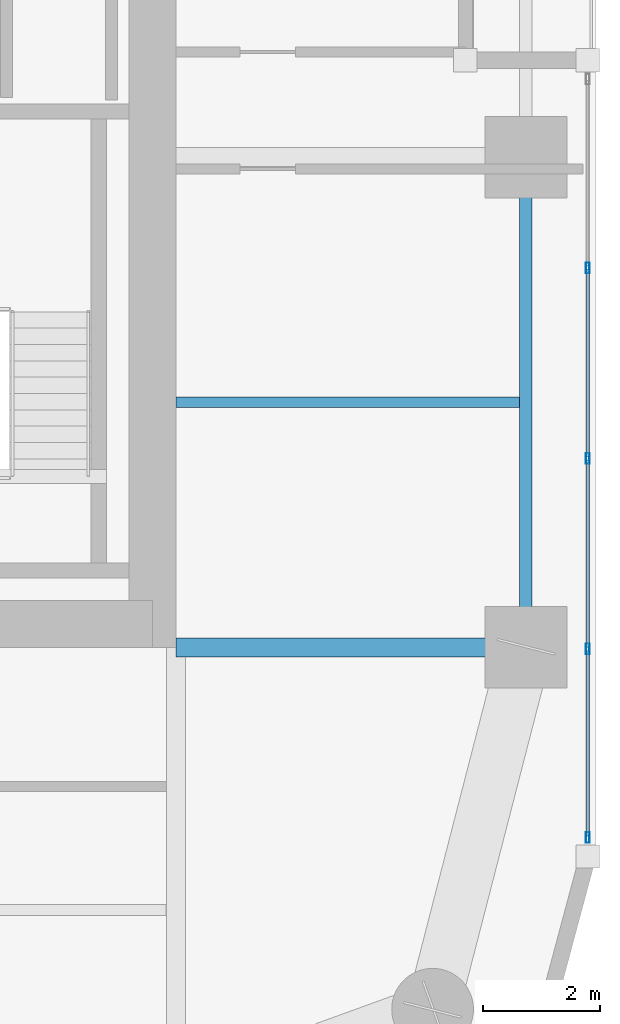
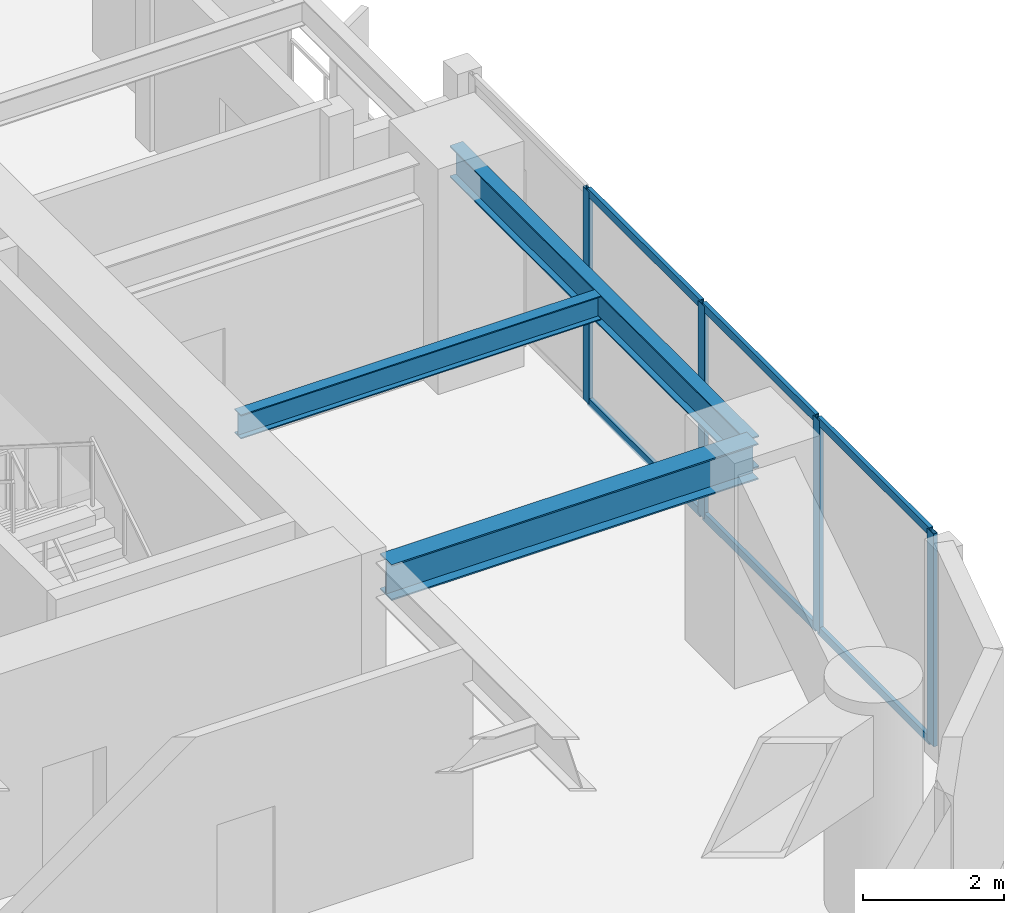
# One storey, part 9 of 31: 10 members, 3 beams, 1 element without a shape of its own.
"""IFC4 building model written with IfcOpenShell, lengths in metres."""

import ifcopenshell
import ifcopenshell.guid

model = None  # the IFC model being written
_history = None  # IfcOwnerHistory: only IFC2X3 demands one
_inside = {}  # id of a spatial element -> (the spatial element, [elements in it])
_under = {}  # id of a project, library or spatial element -> (it, [spatial elements below it])
_declared = {}  # id of a project -> (the project, [libraries it declares])
_typed = {}  # id of a type object -> (the type object, [elements of that type])
_made_of = {}  # id of a material, layer set ... -> (it, [elements and type objects made of it])


def new_model(schema):
    """Start an empty IFC model of exactly this schema.

    Asked for "IFC4X3", IfcOpenShell would pick the latest addendum, in which some entities
    have other attributes; the version numbers below select the first issue.
    IFC2X3 requires an IfcOwnerHistory on every rooted entity: one is made here for all.
    """
    global model, _history
    if schema == "IFC4X3":
        model = ifcopenshell.file(schema_version=(4, 3, 0, 0))
    else:
        model = ifcopenshell.file(schema=schema)
    _inside.clear()
    _under.clear()
    _declared.clear()
    _typed.clear()
    _made_of.clear()
    _history = None
    if model.schema == "IFC2X3":
        org = make("IfcOrganization", Name="unknown")
        user = make(
            "IfcPersonAndOrganization",
            ThePerson=make("IfcPerson", FamilyName="unknown"),
            TheOrganization=org,
        )
        app = make(
            "IfcApplication",
            ApplicationDeveloper=org,
            Version="unknown",
            ApplicationFullName="unknown",
            ApplicationIdentifier="unknown",
        )
        _history = make(
            "IfcOwnerHistory",
            OwningUser=user,
            OwningApplication=app,
            ChangeAction="ADDED",
            CreationDate=0,
        )
    return model


def make(cls, **values):
    """One entity of the class cls with the attributes given. An attribute that is None is left unset."""
    return model.create_entity(
        cls, **{name: value for name, value in values.items() if value is not None}
    )


def rooted(cls, **values):
    """An entity with a GlobalId (a new one), such as an element, a storey or a relation."""
    return make(cls, GlobalId=ifcopenshell.guid.new(), OwnerHistory=_history, **values)


def si_unit(unit_type, name, prefix=None):
    """IfcSIUnit, for example si_unit("LENGTHUNIT", "METRE", prefix="MILLI")."""
    return make("IfcSIUnit", UnitType=unit_type, Prefix=prefix, Name=name)


def assignment(units):
    """IfcUnitAssignment: the units of a project."""
    return None if units is None else make("IfcUnitAssignment", Units=units)


def point(xyz):
    """IfcCartesianPoint."""
    return None if xyz is None else make("IfcCartesianPoint", Coordinates=xyz)


def direction(xyz):
    """IfcDirection."""
    return None if xyz is None else make("IfcDirection", DirectionRatios=xyz)


def frame(location, z_axis=None, x_axis=None):
    """IfcAxis2Placement3D, a coordinate frame: its origin and axes. An axis left out is left unset."""
    return make(
        "IfcAxis2Placement3D",
        Location=point(location),
        Axis=direction(z_axis),
        RefDirection=direction(x_axis),
    )


def frame_2d(location, x_axis=None):
    """IfcAxis2Placement2D, a coordinate frame in the plane: its origin and x axis."""
    return make(
        "IfcAxis2Placement2D", Location=point(location), RefDirection=direction(x_axis)
    )


def origin():
    """The frame at (0, 0, 0) with its axes left unset."""
    return frame((0.0, 0.0, 0.0))


def origin_2d():
    """The frame at (0, 0) in the plane with its x axis left unset."""
    return frame_2d((0.0, 0.0))


def place(relative_to, where):
    """IfcLocalPlacement: puts the frame where relative to a parent placement (None: the world)."""
    return make(
        "IfcLocalPlacement", PlacementRelTo=relative_to, RelativePlacement=where
    )


def context(
    kind, dimensions, precision=None, world=None, true_north=None, identifier=None
):
    """IfcGeometricRepresentationContext, for example the 3D "Model" context."""
    return make(
        "IfcGeometricRepresentationContext",
        ContextIdentifier=identifier,
        ContextType=kind,
        CoordinateSpaceDimension=dimensions,
        Precision=precision,
        WorldCoordinateSystem=world,
        TrueNorth=true_north,
    )


def subcontext(parent, identifier, kind, view, scale=None):
    """IfcGeometricRepresentationSubContext, for example "Body" below "Model"."""
    return make(
        "IfcGeometricRepresentationSubContext",
        ContextIdentifier=identifier,
        ContextType=kind,
        ParentContext=parent,
        TargetScale=scale,
        TargetView=view,
    )


def project(units=None, contexts=None):
    """IfcProject with its units and contexts."""
    return rooted(
        "IfcProject",
        Name="project",
        RepresentationContexts=contexts,
        UnitsInContext=assignment(units),
    )


def spatial(cls, under=None, at=None, **own):
    """A site, building, storey or space (cls), placed at a placement, below another one or the project."""
    s = rooted(cls, ObjectPlacement=at, **own)
    if under is not None:
        _under.setdefault(under.id(), (under, []))[1].append(s)
    return s


def profile(cls, at=None, kind="AREA", **sizes):
    """A parametric profile (cls). Its sizes go by their IFC names, for example OverallWidth=200.0."""
    return make(cls, ProfileType=kind, Position=at, **sizes)


def hollow_rectangle(**sizes):
    """IfcRectangleHollowProfileDef."""
    return profile("IfcRectangleHollowProfileDef", **sizes)


def i_section(**sizes):
    """IfcIShapeProfileDef."""
    return profile("IfcIShapeProfileDef", **sizes)


def extrude(swept, where, along, depth):
    """IfcExtrudedAreaSolid: the profile swept, set in the frame where, extruded along a direction by depth."""
    return make(
        "IfcExtrudedAreaSolid",
        SweptArea=swept,
        Position=where,
        ExtrudedDirection=direction(along),
        Depth=depth,
    )


def shape(context_of_items, identifier, shape_type, items):
    """IfcShapeRepresentation: the items that make up one representation, for example the "Body"."""
    return make(
        "IfcShapeRepresentation",
        ContextOfItems=context_of_items,
        RepresentationIdentifier=identifier,
        RepresentationType=shape_type,
        Items=items,
    )


def material(Name=None, Category=None):
    """IfcMaterial."""
    return make("IfcMaterial", Name=Name, Category=Category)


def layer(
    of_material, thickness, ventilated=None, Name=None, Category=None, Priority=None
):
    """IfcMaterialLayer: one layer of a wall or slab, of a material (None: an air gap)."""
    return make(
        "IfcMaterialLayer",
        Material=of_material,
        LayerThickness=thickness,
        IsVentilated=ventilated,
        Name=Name,
        Category=Category,
        Priority=Priority,
    )


def layer_set(layers, Name=None):
    """IfcMaterialLayerSet."""
    return make("IfcMaterialLayerSet", MaterialLayers=layers, LayerSetName=Name)


def material_profile(
    of_material, cross_section, Name=None, Category=None, Priority=None
):
    """IfcMaterialProfile: a cross section and its material."""
    return make(
        "IfcMaterialProfile",
        Name=Name,
        Material=of_material,
        Profile=cross_section,
        Priority=Priority,
        Category=Category,
    )


def profile_set(profiles, Name=None, composite=None):
    """IfcMaterialProfileSet."""
    return make(
        "IfcMaterialProfileSet",
        Name=Name,
        MaterialProfiles=profiles,
        CompositeProfile=composite,
    )


def made_of(thing, what):
    """Note that an element or type object is made of a material, layer set ...; save() writes the relation."""
    if what is not None:
        _made_of.setdefault(what.id(), (what, []))[1].append(thing)
    return thing


def type_object(cls, material=None, **own):
    """A type object (cls), such as IfcWallType, which elements share."""
    return made_of(rooted(cls, **own), material)


def element(
    cls,
    number,
    at=None,
    inside=None,
    cuts=None,
    type_object=None,
    material=None,
    context=None,
    identifier="Body",
    shape_type=None,
    held_by="IfcProductDefinitionShape",
    body=None,
    shapes=None,
    **own,
):
    """One element of the class cls, such as IfcWall. Its Tag is "e" and its number.

    at: its placement. inside: the storey or other place that contains it. cuts: it is an
    opening in that element (IfcRelVoidsElement). A single representation is given by context,
    identifier, shape_type and body (its items); several are given by shapes. held_by: the class
    of the entity that holds the representations. save() writes the other relations.
    """
    e = rooted(cls, Tag="e%d" % number, ObjectPlacement=at, **own)
    if body is not None:
        shapes = [shape(context, identifier, shape_type, body)]
    if shapes is not None:
        e.Representation = make(held_by, Representations=shapes)
    if inside is not None:
        _inside.setdefault(inside.id(), (inside, []))[1].append(e)
    if cuts is not None:
        rooted(
            "IfcRelVoidsElement", RelatingBuildingElement=cuts, RelatedOpeningElement=e
        )
    if type_object is not None:
        _typed.setdefault(type_object.id(), (type_object, []))[1].append(e)
    return made_of(e, material)


def aggregate(whole, parts):
    """IfcRelAggregates: a whole, such as a stair, and the parts it consists of."""
    return rooted("IfcRelAggregates", RelatingObject=whole, RelatedObjects=parts)


def save(model, path):
    """Write the relations noted so far, then the file.

    IfcRelAggregates (storeys below a building ...), IfcRelContainedInSpatialStructure (elements
    in a storey), IfcRelDefinesByType, IfcRelAssociatesMaterial and IfcRelDeclares: one each for
    every whole, place, type object, material and project.
    """
    for whole, parts in _under.values():
        aggregate(whole, parts)
    for where, things in _inside.values():
        rooted(
            "IfcRelContainedInSpatialStructure",
            RelatedElements=things,
            RelatingStructure=where,
        )
    for kind, things in _typed.values():
        rooted("IfcRelDefinesByType", RelatedObjects=things, RelatingType=kind)
    for what, things in _made_of.values():
        rooted("IfcRelAssociatesMaterial", RelatedObjects=things, RelatingMaterial=what)
    for by, libraries in _declared.values():
        rooted("IfcRelDeclares", RelatingContext=by, RelatedDefinitions=libraries)
    model.write(path)


model = new_model("IFC4")

# Units and contexts
model_context = context("Model", 3, precision=1e-05, world=origin(), true_north=direction((0.0, 1.0)))
body_context = subcontext(model_context, "Body", "Model", "MODEL_VIEW")
ifc_project = project(units=[si_unit("LENGTHUNIT", "METRE"), si_unit("AREAUNIT", "SQUARE_METRE"), si_unit("VOLUMEUNIT", "CUBIC_METRE"), si_unit("PLANEANGLEUNIT", "RADIAN"), si_unit("MASSUNIT", "GRAM", prefix="KILO")], contexts=[model_context])

# Site, building, storey
site_placement = place(None, origin())
site = spatial("IfcSite", under=ifc_project, at=site_placement, CompositionType="ELEMENT")
building_placement = place(site_placement, origin())
building = spatial("IfcBuilding", under=site, at=building_placement, Name="Kiyonajd Concourse Tower", CompositionType="ELEMENT")
storey_placement = place(building_placement, frame((0.0, 0.0, 158.39990234375)))
storey = spatial("IfcBuildingStorey", under=building, at=storey_placement, Name="L40", CompositionType="ELEMENT", Elevation=158.39990234375)

# Beams
ifc_material_1 = material(Name="Steel ASTM A992 Grade 50", Category="steel")
ifc_material_profile_1 = material_profile(ifc_material_1, i_section(OverallWidth=0.180908203125, OverallDepth=0.4169921875, WebThickness=0.010986328125, FlangeThickness=0.018310546875, at=origin_2d()), Name="W410X85")
ifc_profile_set_1 = profile_set([ifc_material_profile_1], Name="Steel ASTM A992 Grade 50")
beam_type_1 = type_object("IfcBeamType", Name="BM-JST-410", PredefinedType="JOIST", material=ifc_profile_set_1)
beam_1_placement = place(storey_placement, frame((63.60009765625, 31.800048828125, 3.4716796875), z_axis=(1.0, 0.0, 0.0), x_axis=(0.0, 1.0, 0.0)))
element("IfcBeam", 1, at=beam_1_placement, inside=storey, type_object=beam_type_1, Name="L40 East Secondary Floor Joist", PredefinedType="JOIST", context=body_context, shape_type="SweptSolid", body=[
    extrude(i_section(OverallWidth=0.180908203125, OverallDepth=0.4169921875, WebThickness=0.010986328125, FlangeThickness=0.018310546875, at=origin_2d()), origin(), (0.0, 0.0, 1.0), 5.892822265625),
])
ifc_material_profile_2 = material_profile(ifc_material_1, i_section(OverallWidth=0.214111328125, OverallDepth=0.549072265625, WebThickness=0.0146484375, FlangeThickness=0.023681640625, at=origin_2d()), Name="W530X138")
ifc_profile_set_2 = profile_set([ifc_material_profile_2], Name="Steel ASTM A992 Grade 50")
beam_type_2 = type_object("IfcBeamType", Name="BM-SPAN-530A", PredefinedType="SPANDREL", material=ifc_profile_set_2)
beam_2_placement = place(storey_placement, frame((69.60009765625, 27.60009765625, 3.405517578125), z_axis=(0.0, 1.0, 0.0), x_axis=(-1.0, 0.0, 0.0)))
element("IfcBeam", 2, at=beam_2_placement, inside=storey, type_object=beam_type_2, Name="L40 Perimeter Bundled Tube Spandrel", PredefinedType="SPANDREL", context=body_context, shape_type="SweptSolid", body=[
    extrude(i_section(OverallWidth=0.214111328125, OverallDepth=0.549072265625, WebThickness=0.0146484375, FlangeThickness=0.023681640625, at=origin_2d()), origin(), (0.0, 0.0, 1.0), 8.39990234375),
])
ifc_material_profile_3 = material_profile(ifc_material_1, i_section(OverallWidth=0.326904296875, OverallDepth=0.6220703125, WebThickness=0.015380859375, FlangeThickness=0.0244140625, at=origin_2d()), Name="W610X195")
ifc_profile_set_3 = profile_set([ifc_material_profile_3], Name="Steel ASTM A992 Grade 50")
beam_type_3 = type_object("IfcBeamType", Name="BM-TWR-610A", PredefinedType="BEAM", material=ifc_profile_set_3)
beam_3_placement = place(storey_placement, frame((63.60009765625, 27.60009765625, 3.369140625), z_axis=(1.0, 0.0, 0.0), x_axis=(0.0, 1.0, 0.0)))
element("IfcBeam", 3, at=beam_3_placement, inside=storey, type_object=beam_type_3, Name="L40 East Lease Girder", PredefinedType="BEAM", context=body_context, shape_type="SweptSolid", body=[
    extrude(i_section(OverallWidth=0.326904296875, OverallDepth=0.6220703125, WebThickness=0.015380859375, FlangeThickness=0.0244140625, at=origin_2d()), origin(), (0.0, 0.0, 1.0), 6.0),
])

# Curtain wall, members
ifc_material_2 = material(Name="Thermally Broken Anodised Aluminium", Category="aluminium")
ifc_layer = layer(ifc_material_2, 0.179931640625)
ifc_layer_set = layer_set([ifc_layer], Name="Thermally Broken Anodised Aluminium")
curtain_wall_type = type_object("IfcCurtainWallType", Name="CW-SYS-03", PredefinedType="NOTDEFINED", material=ifc_layer_set)
curtain_wall_placement = place(storey_placement, origin())
curtain_wall = element("IfcCurtainWall", 4, at=curtain_wall_placement, inside=storey, type_object=curtain_wall_type, Name="L40 Unitised Curtain Wall CW3", PredefinedType="NOTDEFINED")
ifc_material_profile_4 = material_profile(ifc_material_2, hollow_rectangle(XDim=0.06494140625, YDim=0.179931640625, WallThickness=0.00390625, at=origin_2d()), Name="MULL-65x180")
ifc_profile_set_4 = profile_set([ifc_material_profile_4], Name="Thermally Broken Anodised Aluminium")
member_type_1 = type_object("IfcMemberType", Name="MB-CW-MULL1", PredefinedType="MULLION", material=ifc_profile_set_4)
member_1_placement = place(storey_placement, frame((70.659912109375, 34.1044921875, 0.0), z_axis=(0.0, 0.0, 1.0), x_axis=(1.0, 0.0, 0.0)))
member_1 = element("IfcMember", 5, at=member_1_placement, type_object=member_type_1, Name="CW3 mullion 2", PredefinedType="MULLION", context=body_context, shape_type="SweptSolid", body=[
    extrude(hollow_rectangle(XDim=0.06494140625, YDim=0.179931640625, WallThickness=0.00390625, at=origin_2d()), origin(), (0.0, 0.0, 1.0), 3.68017578125),
])
member_2_placement = place(storey_placement, frame((70.659912109375, 30.839111328125, 0.0), z_axis=(0.0, 0.0, 1.0), x_axis=(1.0, 0.0, 0.0)))
member_2 = element("IfcMember", 6, at=member_2_placement, type_object=member_type_1, Name="CW3 mullion 3", PredefinedType="MULLION", context=body_context, shape_type="SweptSolid", body=[
    extrude(hollow_rectangle(XDim=0.06494140625, YDim=0.179931640625, WallThickness=0.00390625, at=origin_2d()), origin(), (0.0, 0.0, 1.0), 3.68017578125),
])
member_3_placement = place(storey_placement, frame((70.659912109375, 27.57373046875, 0.0), z_axis=(0.0, 0.0, 1.0), x_axis=(1.0, 0.0, 0.0)))
member_3 = element("IfcMember", 7, at=member_3_placement, type_object=member_type_1, Name="CW3 mullion 4", PredefinedType="MULLION", context=body_context, shape_type="SweptSolid", body=[
    extrude(hollow_rectangle(XDim=0.06494140625, YDim=0.179931640625, WallThickness=0.00390625, at=origin_2d()), origin(), (0.0, 0.0, 1.0), 3.68017578125),
])
member_4_placement = place(storey_placement, frame((70.659912109375, 24.3408203125, 0.0), z_axis=(0.0, 0.0, 1.0), x_axis=(1.0, 0.0, 0.0)))
member_4 = element("IfcMember", 8, at=member_4_placement, type_object=member_type_1, Name="CW3 mullion 5", PredefinedType="MULLION", context=body_context, shape_type="SweptSolid", body=[
    extrude(hollow_rectangle(XDim=0.06494140625, YDim=0.179931640625, WallThickness=0.00390625, at=origin_2d()), origin(), (0.0, 0.0, 1.0), 3.68017578125),
])
ifc_material_profile_5 = material_profile(ifc_material_2, hollow_rectangle(XDim=0.06494140625, YDim=0.139892578125, WallThickness=0.00390625, at=origin_2d()), Name="TRAN-65x140")
ifc_profile_set_5 = profile_set([ifc_material_profile_5], Name="Thermally Broken Anodised Aluminium")
member_type_2 = type_object("IfcMemberType", Name="MB-CW-TRAN1", PredefinedType="USERDEFINED", material=ifc_profile_set_5)
member_5_placement = place(storey_placement, frame((70.659912109375, 34.072021484375, 0.03271484375), z_axis=(0.0, -1.0, 0.0), x_axis=(1.0, 0.0, 0.0)))
member_5 = element("IfcMember", 9, at=member_5_placement, type_object=member_type_2, Name="CW3 transom 2.1", ObjectType="TRANSOM", PredefinedType="USERDEFINED", context=body_context, shape_type="SweptSolid", body=[
    extrude(hollow_rectangle(XDim=0.06494140625, YDim=0.139892578125, WallThickness=0.00390625, at=origin_2d()), origin(), (0.0, 0.0, 1.0), 3.200439453125),
])
member_6_placement = place(storey_placement, frame((70.659912109375, 34.072021484375, 3.647705078125), z_axis=(0.0, -1.0, 0.0), x_axis=(1.0, 0.0, 0.0)))
member_6 = element("IfcMember", 10, at=member_6_placement, type_object=member_type_2, Name="CW3 transom 2.2", ObjectType="TRANSOM", PredefinedType="USERDEFINED", context=body_context, shape_type="SweptSolid", body=[
    extrude(hollow_rectangle(XDim=0.06494140625, YDim=0.139892578125, WallThickness=0.00390625, at=origin_2d()), origin(), (0.0, 0.0, 1.0), 3.200439453125),
])
member_7_placement = place(storey_placement, frame((70.659912109375, 30.806640625, 0.03271484375), z_axis=(0.0, -1.0, 0.0), x_axis=(1.0, 0.0, 0.0)))
member_7 = element("IfcMember", 11, at=member_7_placement, type_object=member_type_2, Name="CW3 transom 3.1", ObjectType="TRANSOM", PredefinedType="USERDEFINED", context=body_context, shape_type="SweptSolid", body=[
    extrude(hollow_rectangle(XDim=0.06494140625, YDim=0.139892578125, WallThickness=0.00390625, at=origin_2d()), origin(), (0.0, 0.0, 1.0), 3.200439453125),
])
member_8_placement = place(storey_placement, frame((70.659912109375, 30.806640625, 3.647705078125), z_axis=(0.0, -1.0, 0.0), x_axis=(1.0, 0.0, 0.0)))
member_8 = element("IfcMember", 12, at=member_8_placement, type_object=member_type_2, Name="CW3 transom 3.2", ObjectType="TRANSOM", PredefinedType="USERDEFINED", context=body_context, shape_type="SweptSolid", body=[
    extrude(hollow_rectangle(XDim=0.06494140625, YDim=0.139892578125, WallThickness=0.00390625, at=origin_2d()), origin(), (0.0, 0.0, 1.0), 3.200439453125),
])
member_9_placement = place(storey_placement, frame((70.659912109375, 27.541259765625, 0.03271484375), z_axis=(0.0, -1.0, 0.0), x_axis=(1.0, 0.0, 0.0)))
member_9 = element("IfcMember", 13, at=member_9_placement, type_object=member_type_2, Name="CW3 transom 4.1", ObjectType="TRANSOM", PredefinedType="USERDEFINED", context=body_context, shape_type="SweptSolid", body=[
    extrude(hollow_rectangle(XDim=0.06494140625, YDim=0.139892578125, WallThickness=0.00390625, at=origin_2d()), origin(), (0.0, 0.0, 1.0), 3.16796875),
])
member_10_placement = place(storey_placement, frame((70.659912109375, 27.541259765625, 3.647705078125), z_axis=(0.0, -1.0, 0.0), x_axis=(1.0, 0.0, 0.0)))
member_10 = element("IfcMember", 14, at=member_10_placement, type_object=member_type_2, Name="CW3 transom 4.2", ObjectType="TRANSOM", PredefinedType="USERDEFINED", context=body_context, shape_type="SweptSolid", body=[
    extrude(hollow_rectangle(XDim=0.06494140625, YDim=0.139892578125, WallThickness=0.00390625, at=origin_2d()), origin(), (0.0, 0.0, 1.0), 3.16796875),
])
aggregate(curtain_wall, [member_1, member_2, member_3, member_4, member_5, member_6, member_7, member_8, member_9, member_10])

save(model, "model.ifc")
